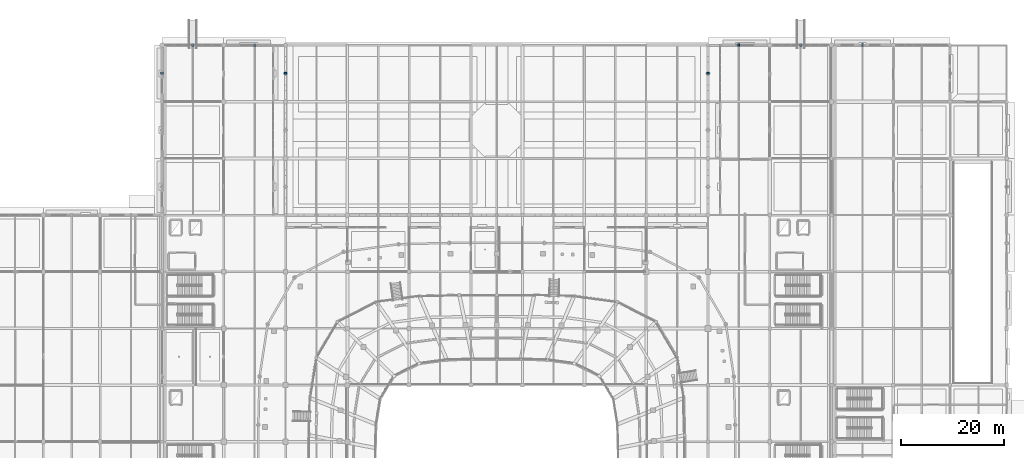
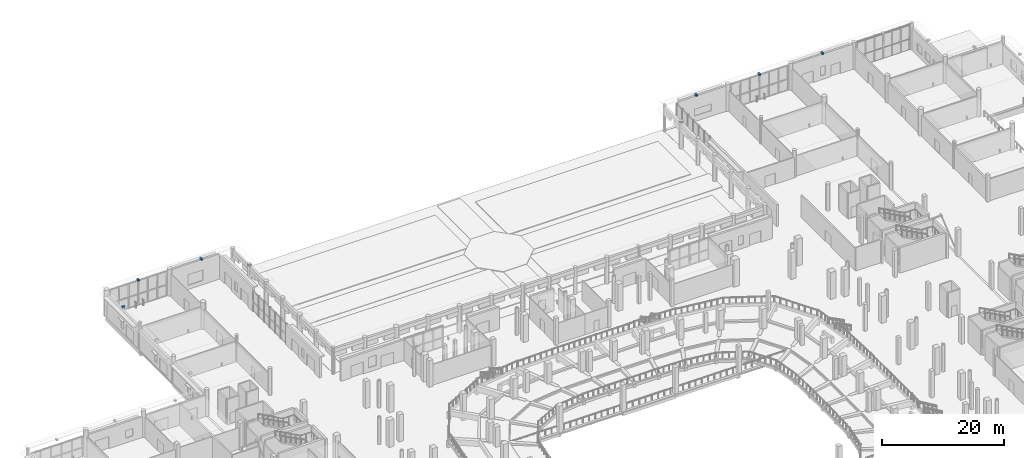
# One storey, part 92 of 120: 8 discrete accessories.
"""IFC4 building model written with IfcOpenShell, lengths in metres."""

from ifc_helpers import new_model, si_unit, direction, frame, origin, origin_2d, place, context, subcontext, project, spatial, rectangle, extrude, material, layer, layer_set, type_object, element, save


model = new_model("IFC4")

# Units and contexts
model_context = context("Model", 3, precision=1e-05, world=origin(), true_north=direction((0.0, 1.0)))
body_context = subcontext(model_context, "Body", "Model", "MODEL_VIEW")
ifc_project = project(units=[si_unit("LENGTHUNIT", "METRE"), si_unit("AREAUNIT", "SQUARE_METRE"), si_unit("VOLUMEUNIT", "CUBIC_METRE"), si_unit("PLANEANGLEUNIT", "RADIAN"), si_unit("MASSUNIT", "GRAM", prefix="KILO")], contexts=[model_context])

# Site, building, storey
site_placement = place(None, origin())
site = spatial("IfcSite", under=ifc_project, at=site_placement, CompositionType="ELEMENT")
building_placement = place(site_placement, origin())
building = spatial("IfcBuilding", under=site, at=building_placement, Name="Luwafu Chhajja Arena", CompositionType="ELEMENT")
storey_placement = place(building_placement, origin())
storey = spatial("IfcBuildingStorey", under=building, at=storey_placement, Name="L00", CompositionType="ELEMENT", Elevation=0.0)

# Discrete accessories
ifc_material = material(Name="Stainless steel bracket", Category="steel")
ifc_layer = layer(ifc_material, 0.179931640625, Name="Stainless steel bracket")
ifc_layer_set = layer_set([ifc_layer], Name="Stainless steel bracket")
discrete_accessory_type = type_object("IfcDiscreteAccessoryType", Name="Stainless Steel Facade Support Bracket", PredefinedType="BRACKET", material=ifc_layer_set)
for number, where, z_axis, x_axis, name in (
    (1, (40.0, 132.0, 4.97998046875), (0.0, 0.0, 1.0), (1.0, 0.0, 0.0), "L00 Chhajja Eave Support Bracket 0083"),
    (2, (34.0, 126.5, 4.97998046875), (0.0, 0.0, 1.0), (0.0, 1.0, 0.0), "L00 Chhajja Eave Support Bracket 0084"),
    (3, (52.0, 132.0, 4.97998046875), (0.0, 0.0, 1.0), (1.0, 0.0, 0.0), "L00 Chhajja Eave Support Bracket 0089"),
    (4, (58.0, 126.5, 4.97998046875), (0.0, 0.0, 1.0), (0.0, 1.0, 0.0), "L00 Chhajja Eave Support Bracket 0090"),
    (5, (146.0, 132.0, 4.97998046875), (0.0, 0.0, 1.0), (1.0, 0.0, 0.0), "L00 Chhajja Eave Support Bracket 0102"),
    (6, (140.0, 126.5, 4.97998046875), (0.0, 0.0, 1.0), (0.0, 1.0, 0.0), "L00 Chhajja Eave Support Bracket 0103"),
    (7, (158.0, 132.0, 4.97998046875), (0.0, 0.0, 1.0), (1.0, 0.0, 0.0), "L00 Chhajja Eave Support Bracket 0105"),
    (8, (170.0, 132.0, 4.97998046875), (0.0, 0.0, 1.0), (1.0, 0.0, 0.0), "L00 Chhajja Eave Support Bracket 0107"),
):
    element("IfcDiscreteAccessory", number, at=place(storey_placement, frame(where, z_axis=z_axis, x_axis=x_axis)), inside=storey, type_object=discrete_accessory_type, Name=name, PredefinedType="BRACKET", context=body_context, shape_type="SweptSolid", body=[
        extrude(rectangle(XDim=0.360107421875, YDim=0.52001953125, at=origin_2d()), origin(), (0.0, 0.0, 1.0), 0.320068359375),
    ])

save(model, "model.ifc")
